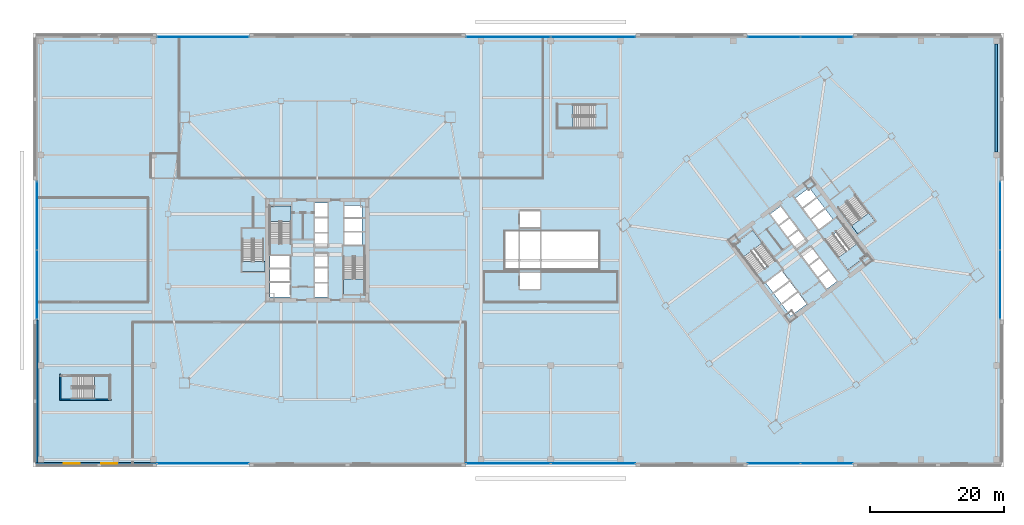
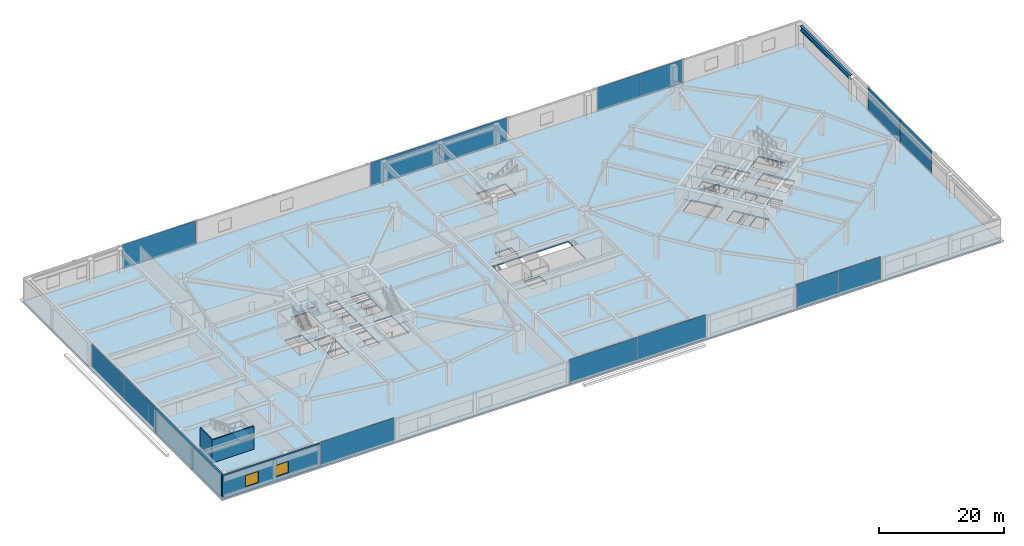
# One storey, part 29 of 44: 14 plates, 9 slabs, 4 walls, 2 windows, 1 beam, 2 openings, 16 elements without a shape of their own.
"""IFC4 building model written with IfcOpenShell, lengths in metres."""

from ifc_helpers import new_model, si_unit, direction, frame, frame_2d, origin, origin_2d, place, context, subcontext, project, spatial, polyline, rectangle, i_section, outline, extrude, material, layer, layer_set, material_profile, profile_set, type_object, element, fill, aggregate, save


model = new_model("IFC4")

# Units and contexts
model_context = context("Model", 3, precision=1e-05, world=origin(), true_north=direction((0.0, 1.0)))
body_context = subcontext(model_context, "Body", "Model", "MODEL_VIEW")
ifc_project = project(units=[si_unit("LENGTHUNIT", "METRE"), si_unit("AREAUNIT", "SQUARE_METRE"), si_unit("VOLUMEUNIT", "CUBIC_METRE"), si_unit("PLANEANGLEUNIT", "RADIAN"), si_unit("MASSUNIT", "GRAM", prefix="KILO")], contexts=[model_context])

# Site, building, storey
site_placement = place(None, origin())
site = spatial("IfcSite", under=ifc_project, at=site_placement, CompositionType="ELEMENT")
building_placement = place(site_placement, origin())
building = spatial("IfcBuilding", under=site, at=building_placement, Name="Tashvorn Skyway Center", CompositionType="ELEMENT")
storey_placement = place(building_placement, frame((0.0, 0.0, 5.39990234375)))
storey = spatial("IfcBuildingStorey", under=building, at=storey_placement, Name="L01", CompositionType="ELEMENT", Elevation=5.39990234375)

# Beam
ifc_material_1 = material(Name="Steel ASTM A913 Grade 65", Category="steel")
ifc_material_profile = material_profile(ifc_material_1, i_section(OverallWidth=0.4189453125, OverallDepth=0.927001953125, WebThickness=0.019287109375, FlangeThickness=0.031982421875, at=origin_2d()), Name="W36X231")
ifc_profile_set = profile_set([ifc_material_profile], Name="Steel ASTM A913 Grade 65")
beam_type = type_object("IfcBeamType", Name="BM-BEAM-W36X231", PredefinedType="BEAM", material=ifc_profile_set)
beam_placement = place(storey_placement, frame((143.199951171875, 46.64501953125, 4.07666015625), z_axis=(0.0, 1.0, 0.0), x_axis=(-1.0, 0.0, 0.0)))
element("IfcBeam", 1, at=beam_placement, inside=storey, type_object=beam_type, Name="L01 North-South Podium Girder 06-N", PredefinedType="BEAM", context=body_context, shape_type="SweptSolid", body=[
    extrude(i_section(OverallWidth=0.4189453125, OverallDepth=0.927001953125, WebThickness=0.019287109375, FlangeThickness=0.031982421875, at=origin_2d()), origin(), (0.0, 0.0, 1.0), 16.10986328125),
])

# Curtain wall, plates
ifc_material_2 = material(Name="Thermally broken bronze-anodized aluminium 6063-T6", Category="aluminium")
curtain_wall_type = type_object("IfcCurtainWallType", Name="CW-CW-Z1", PredefinedType="NOTDEFINED", material=ifc_material_2)
curtain_wall_1_placement = place(storey_placement, origin())
curtain_wall_1 = element("IfcCurtainWall", 2, at=curtain_wall_1_placement, inside=storey, type_object=curtain_wall_type, Name="L01 South Station Arcade Curtain Wall 1", PredefinedType="NOTDEFINED")
ifc_material_3 = material(Name="Low-E solar-control double insulating safety glass", Category="glass")
ifc_layer_1 = layer(ifc_material_3, 0.048095703125)
ifc_layer_set_1 = layer_set([ifc_layer_1], Name="Low-E solar-control double insulating safety glass")
plate_type = type_object("IfcPlateType", Name="CWP-CW-Z1", PredefinedType="CURTAIN_PANEL", material=ifc_layer_set_1)
plate_1_placement = place(storey_placement, frame((117.9287109375, 0.219970703125, 0.085205078125), z_axis=(0.0, 0.0, 1.0), x_axis=(-1.0, 0.0, 0.0)))
plate_1 = element("IfcPlate", 3, at=plate_1_placement, type_object=plate_type, Name="CW-Z1 panel 1.1", PredefinedType="CURTAIN_PANEL", context=body_context, shape_type="SweptSolid", body=[
    extrude(rectangle(XDim=7.7724609375, YDim=0.048095703125, at=origin_2d()), origin(), (0.0, 0.0, 1.0), 4.6298828125),
])
plate_2_placement = place(storey_placement, frame((110.0712890625, 0.219970703125, 0.085205078125), z_axis=(0.0, 0.0, 1.0), x_axis=(-1.0, 0.0, 0.0)))
plate_2 = element("IfcPlate", 4, at=plate_2_placement, type_object=plate_type, Name="CW-Z1 panel 2.1", PredefinedType="CURTAIN_PANEL", context=body_context, shape_type="SweptSolid", body=[
    extrude(rectangle(XDim=7.7724609375, YDim=0.048095703125, at=origin_2d()), origin(), (0.0, 0.0, 1.0), 4.6298828125),
])
aggregate(curtain_wall_1, [plate_1, plate_2])

curtain_wall_2_placement = place(storey_placement, origin())
curtain_wall_2 = element("IfcCurtainWall", 5, at=curtain_wall_2_placement, inside=storey, type_object=curtain_wall_type, Name="L01 South Station Arcade Curtain Wall 2", PredefinedType="NOTDEFINED")
plate_3_placement = place(storey_placement, frame((83.128662109375, 0.219970703125, 0.085205078125), z_axis=(0.0, 0.0, 1.0), x_axis=(-1.0, 0.0, 0.0)))
plate_3 = element("IfcPlate", 6, at=plate_3_placement, type_object=plate_type, Name="CW-Z1 panel 1.1", PredefinedType="CURTAIN_PANEL", context=body_context, shape_type="SweptSolid", body=[
    extrude(rectangle(XDim=12.572509765625, YDim=0.048095703125, at=origin_2d()), origin(), (0.0, 0.0, 1.0), 4.6298828125),
])
plate_4_placement = place(storey_placement, frame((70.47119140625, 0.219970703125, 0.085205078125), z_axis=(0.0, 0.0, 1.0), x_axis=(-1.0, 0.0, 0.0)))
plate_4 = element("IfcPlate", 7, at=plate_4_placement, type_object=plate_type, Name="CW-Z1 panel 2.1", PredefinedType="CURTAIN_PANEL", context=body_context, shape_type="SweptSolid", body=[
    extrude(rectangle(XDim=12.572509765625, YDim=0.048095703125, at=origin_2d()), origin(), (0.0, 0.0, 1.0), 4.6298828125),
])
aggregate(curtain_wall_2, [plate_3, plate_4])

# Curtain wall, plate
curtain_wall_3_placement = place(storey_placement, origin())
curtain_wall_3 = element("IfcCurtainWall", 8, at=curtain_wall_3_placement, inside=storey, type_object=curtain_wall_type, Name="L01 South Station Arcade Curtain Wall 3", PredefinedType="NOTDEFINED")
plate_5_placement = place(storey_placement, frame((25.0, 0.219970703125, 0.085205078125), z_axis=(0.0, 0.0, 1.0), x_axis=(-1.0, 0.0, 0.0)))
plate_5 = element("IfcPlate", 9, at=plate_5_placement, type_object=plate_type, Name="CW-Z1 panel 1.1", PredefinedType="CURTAIN_PANEL", context=body_context, shape_type="SweptSolid", body=[
    extrude(rectangle(XDim=13.6298828125, YDim=0.048095703125, at=origin_2d()), origin(), (0.0, 0.0, 1.0), 4.6298828125),
])
aggregate(curtain_wall_3, [plate_5])

curtain_wall_4_placement = place(storey_placement, origin())
curtain_wall_4 = element("IfcCurtainWall", 10, at=curtain_wall_4_placement, inside=storey, type_object=curtain_wall_type, Name="L01 North Station Arcade Curtain Wall 1", PredefinedType="NOTDEFINED")
plate_6_placement = place(storey_placement, frame((25.0, 63.780029296875, 0.085205078125), z_axis=(0.0, 0.0, 1.0), x_axis=(1.0, 0.0, 0.0)))
plate_6 = element("IfcPlate", 11, at=plate_6_placement, type_object=plate_type, Name="CW-Z1 panel 1.1", PredefinedType="CURTAIN_PANEL", context=body_context, shape_type="SweptSolid", body=[
    extrude(rectangle(XDim=13.6298828125, YDim=0.048095703125, at=origin_2d()), origin(), (0.0, 0.0, 1.0), 4.6298828125),
])
aggregate(curtain_wall_4, [plate_6])

# Curtain wall, plates
curtain_wall_5_placement = place(storey_placement, origin())
curtain_wall_5 = element("IfcCurtainWall", 12, at=curtain_wall_5_placement, inside=storey, type_object=curtain_wall_type, Name="L01 North Station Arcade Curtain Wall 2", PredefinedType="NOTDEFINED")
plate_7_placement = place(storey_placement, frame((70.47119140625, 63.780029296875, 0.085205078125), z_axis=(0.0, 0.0, 1.0), x_axis=(1.0, 0.0, 0.0)))
plate_7 = element("IfcPlate", 13, at=plate_7_placement, type_object=plate_type, Name="CW-Z1 panel 1.1", PredefinedType="CURTAIN_PANEL", context=body_context, shape_type="SweptSolid", body=[
    extrude(rectangle(XDim=12.572509765625, YDim=0.048095703125, at=origin_2d()), origin(), (0.0, 0.0, 1.0), 4.6298828125),
])
plate_8_placement = place(storey_placement, frame((83.128662109375, 63.780029296875, 0.085205078125), z_axis=(0.0, 0.0, 1.0), x_axis=(1.0, 0.0, 0.0)))
plate_8 = element("IfcPlate", 14, at=plate_8_placement, type_object=plate_type, Name="CW-Z1 panel 2.1", PredefinedType="CURTAIN_PANEL", context=body_context, shape_type="SweptSolid", body=[
    extrude(rectangle(XDim=12.572509765625, YDim=0.048095703125, at=origin_2d()), origin(), (0.0, 0.0, 1.0), 4.6298828125),
])
aggregate(curtain_wall_5, [plate_7, plate_8])

curtain_wall_6_placement = place(storey_placement, origin())
curtain_wall_6 = element("IfcCurtainWall", 15, at=curtain_wall_6_placement, inside=storey, type_object=curtain_wall_type, Name="L01 North Station Arcade Curtain Wall 3", PredefinedType="NOTDEFINED")
plate_9_placement = place(storey_placement, frame((110.0712890625, 63.780029296875, 0.085205078125), z_axis=(0.0, 0.0, 1.0), x_axis=(1.0, 0.0, 0.0)))
plate_9 = element("IfcPlate", 16, at=plate_9_placement, type_object=plate_type, Name="CW-Z1 panel 1.1", PredefinedType="CURTAIN_PANEL", context=body_context, shape_type="SweptSolid", body=[
    extrude(rectangle(XDim=7.7724609375, YDim=0.048095703125, at=origin_2d()), origin(), (0.0, 0.0, 1.0), 4.6298828125),
])
plate_10_placement = place(storey_placement, frame((117.9287109375, 63.780029296875, 0.085205078125), z_axis=(0.0, 0.0, 1.0), x_axis=(1.0, 0.0, 0.0)))
plate_10 = element("IfcPlate", 17, at=plate_10_placement, type_object=plate_type, Name="CW-Z1 panel 2.1", PredefinedType="CURTAIN_PANEL", context=body_context, shape_type="SweptSolid", body=[
    extrude(rectangle(XDim=7.7724609375, YDim=0.048095703125, at=origin_2d()), origin(), (0.0, 0.0, 1.0), 4.6298828125),
])
aggregate(curtain_wall_6, [plate_9, plate_10])

curtain_wall_7_placement = place(storey_placement, origin())
curtain_wall_7 = element("IfcCurtainWall", 18, at=curtain_wall_7_placement, inside=storey, type_object=curtain_wall_type, Name="L01 West Station Hall Portal Curtain Wall", PredefinedType="NOTDEFINED")
plate_11_placement = place(storey_placement, frame((0.219970703125, 26.871337890625, 0.085205078125), z_axis=(0.0, 0.0, 1.0), x_axis=(0.0, 1.0, 0.0)))
plate_11 = element("IfcPlate", 19, at=plate_11_placement, type_object=plate_type, Name="CW-Z1 panel 1.1", PredefinedType="CURTAIN_PANEL", context=body_context, shape_type="SweptSolid", body=[
    extrude(rectangle(XDim=10.172607421875, YDim=0.048095703125, at=origin_2d()), origin(), (0.0, 0.0, 1.0), 4.6298828125),
])
plate_12_placement = place(storey_placement, frame((0.219970703125, 37.128662109375, 0.085205078125), z_axis=(0.0, 0.0, 1.0), x_axis=(0.0, 1.0, 0.0)))
plate_12 = element("IfcPlate", 20, at=plate_12_placement, type_object=plate_type, Name="CW-Z1 panel 2.1", PredefinedType="CURTAIN_PANEL", context=body_context, shape_type="SweptSolid", body=[
    extrude(rectangle(XDim=10.172607421875, YDim=0.048095703125, at=origin_2d()), origin(), (0.0, 0.0, 1.0), 4.6298828125),
])
aggregate(curtain_wall_7, [plate_11, plate_12])

curtain_wall_8_placement = place(storey_placement, origin())
curtain_wall_8 = element("IfcCurtainWall", 21, at=curtain_wall_8_placement, inside=storey, type_object=curtain_wall_type, Name="L01 East Station Concourse Curtain Wall", PredefinedType="NOTDEFINED")
plate_13_placement = place(storey_placement, frame((143.780029296875, 37.128662109375, 0.085205078125), z_axis=(0.0, 0.0, 1.0), x_axis=(0.0, -1.0, 0.0)))
plate_13 = element("IfcPlate", 22, at=plate_13_placement, type_object=plate_type, Name="CW-Z1 panel 1.1", PredefinedType="CURTAIN_PANEL", context=body_context, shape_type="SweptSolid", body=[
    extrude(rectangle(XDim=10.172607421875, YDim=0.048095703125, at=origin_2d()), origin(), (0.0, 0.0, 1.0), 4.6298828125),
])
plate_14_placement = place(storey_placement, frame((143.780029296875, 26.871337890625, 0.085205078125), z_axis=(0.0, 0.0, 1.0), x_axis=(0.0, -1.0, 0.0)))
plate_14 = element("IfcPlate", 23, at=plate_14_placement, type_object=plate_type, Name="CW-Z1 panel 2.1", PredefinedType="CURTAIN_PANEL", context=body_context, shape_type="SweptSolid", body=[
    extrude(rectangle(XDim=10.172607421875, YDim=0.048095703125, at=origin_2d()), origin(), (0.0, 0.0, 1.0), 4.6298828125),
])
aggregate(curtain_wall_8, [plate_13, plate_14])

# Slab
ifc_material_4 = material(Name="Concrete C40/50", Category="concrete")
ifc_layer_2 = layer(ifc_material_4, 0.260009765625)
ifc_layer_set_2 = layer_set([ifc_layer_2], Name="Concrete C40/50")
slab_type_1 = type_object("IfcSlabType", Name="SLAB-FLR-260", PredefinedType="FLOOR", material=ifc_layer_set_2)
slab_1_placement = place(storey_placement, frame((0.0, 0.0, -0.260009765625)))
element("IfcSlab", 24, at=slab_1_placement, inside=storey, type_object=slab_type_1, Name="L01 Podium Composite Structural Floor Slab", PredefinedType="FLOOR", context=body_context, shape_type="SweptSolid", body=[
    extrude(outline(polyline([(0.0, 0.0), (144.0, 0.0), (144.0, 64.0), (0.0, 64.0), (0.0, 0.0)]), holes=[polyline([(38.10009765625, 33.080078125), (38.10009765625, 38.60009765625), (34.89990234375, 38.60009765625), (34.89990234375, 33.080078125), (38.10009765625, 33.080078125)]), polyline([(45.89990234375, 30.919921875), (45.89990234375, 25.39990234375), (49.10009765625, 25.39990234375), (49.10009765625, 30.919921875), (45.89990234375, 30.919921875)]), polyline([(110.23193359375, 30.52392578125), (106.919921875, 34.93994140625), (104.135986328125, 32.85205078125), (107.447998046875, 28.43603515625), (110.23193359375, 30.52392578125)]), polyline([(117.76806640625, 33.47607421875), (121.080078125, 29.06005859375), (123.864013671875, 31.14794921875), (120.552001953125, 35.56396484375), (117.76806640625, 33.47607421875)]), polyline([(30.800048828125, 33.52001953125), (30.800048828125, 28.800048828125), (34.0, 28.800048828125), (34.0, 33.52001953125), (30.800048828125, 33.52001953125)]), polyline([(119.7119140625, 38.18408203125), (122.5439453125, 34.407958984375), (125.10400390625, 36.327880859375), (122.27197265625, 40.10400390625), (119.7119140625, 38.18408203125)]), polyline([(5.610107421875, 9.800048828125), (11.10009765625, 9.800048828125), (11.10009765625, 13.300048828125), (5.610107421875, 13.300048828125), (5.610107421875, 9.800048828125)]), polyline([(83.2900390625, 53.699951171875), (77.800048828125, 53.699951171875), (77.800048828125, 50.199951171875), (83.2900390625, 50.199951171875), (83.2900390625, 53.699951171875)]), polyline([(34.949951171875, 29.35009765625), (37.949951171875, 29.35009765625), (37.949951171875, 31.199951171875), (34.949951171875, 31.199951171875), (34.949951171875, 29.35009765625)]), polyline([(34.949951171875, 27.35009765625), (37.949951171875, 27.35009765625), (37.949951171875, 29.199951171875), (34.949951171875, 29.199951171875), (34.949951171875, 27.35009765625)]), polyline([(34.949951171875, 25.0), (37.949951171875, 25.0), (37.949951171875, 27.14990234375), (34.949951171875, 27.14990234375), (34.949951171875, 25.0)]), polyline([(41.64990234375, 25.0), (43.550048828125, 25.0), (43.550048828125, 27.050048828125), (41.64990234375, 27.050048828125), (41.64990234375, 25.0)]), polyline([(41.64990234375, 27.25), (43.550048828125, 27.25), (43.550048828125, 29.300048828125), (41.64990234375, 29.300048828125), (41.64990234375, 27.25)]), polyline([(41.64990234375, 29.5), (43.550048828125, 29.5), (43.550048828125, 31.550048828125), (41.64990234375, 31.550048828125), (41.64990234375, 29.5)]), polyline([(41.64990234375, 32.449951171875), (43.550048828125, 32.449951171875), (43.550048828125, 34.5), (41.64990234375, 34.5), (41.64990234375, 32.449951171875)]), polyline([(41.64990234375, 34.699951171875), (43.550048828125, 34.699951171875), (43.550048828125, 36.75), (41.64990234375, 36.75), (41.64990234375, 34.699951171875)]), polyline([(41.64990234375, 36.949951171875), (43.550048828125, 36.949951171875), (43.550048828125, 39.0), (41.64990234375, 39.0), (41.64990234375, 36.949951171875)]), polyline([(46.050048828125, 32.800048828125), (48.64990234375, 32.800048828125), (48.64990234375, 34.64990234375), (46.050048828125, 34.64990234375), (46.050048828125, 32.800048828125)]), polyline([(46.050048828125, 34.85009765625), (48.64990234375, 34.85009765625), (48.64990234375, 36.699951171875), (46.050048828125, 36.699951171875), (46.050048828125, 34.85009765625)]), polyline([(46.050048828125, 36.89990234375), (48.64990234375, 36.89990234375), (48.64990234375, 38.64990234375), (46.050048828125, 38.64990234375), (46.050048828125, 36.89990234375)]), polyline([(109.949951171875, 25.64990234375), (112.35009765625, 27.449951171875), (111.239990234375, 28.929931640625), (108.840087890625, 27.1298828125), (109.949951171875, 25.64990234375)]), polyline([(111.14990234375, 24.050048828125), (113.550048828125, 25.85009765625), (112.43994140625, 27.330078125), (110.0400390625, 25.530029296875), (111.14990234375, 24.050048828125)]), polyline([(112.56005859375, 22.169921875), (114.9599609375, 23.969970703125), (113.669921875, 25.68994140625), (111.27001953125, 23.889892578125), (112.56005859375, 22.169921875)]), polyline([(117.919921875, 26.18994140625), (119.43994140625, 27.330078125), (118.2099609375, 28.969970703125), (116.68994140625, 27.830078125), (117.919921875, 26.18994140625)]), polyline([(116.570068359375, 27.989990234375), (118.090087890625, 29.1298828125), (116.860107421875, 30.77001953125), (115.340087890625, 29.6298828125), (116.570068359375, 27.989990234375)]), polyline([(115.219970703125, 29.7900390625), (116.739990234375, 30.929931640625), (115.510009765625, 32.570068359375), (113.989990234375, 31.429931640625), (115.219970703125, 29.7900390625)]), polyline([(113.449951171875, 32.14990234375), (114.969970703125, 33.2900390625), (113.739990234375, 34.929931640625), (112.219970703125, 33.7900390625), (113.449951171875, 32.14990234375)]), polyline([(112.10009765625, 33.949951171875), (113.6201171875, 35.090087890625), (112.389892578125, 36.72998046875), (110.8701171875, 35.590087890625), (112.10009765625, 33.949951171875)]), polyline([(110.75, 35.75), (112.27001953125, 36.889892578125), (111.0400390625, 38.530029296875), (109.52001953125, 37.389892578125), (110.75, 35.75)]), polyline([(116.760009765625, 35.070068359375), (118.840087890625, 36.6298828125), (117.72998046875, 38.110107421875), (115.64990234375, 36.550048828125), (116.760009765625, 35.070068359375)]), polyline([(115.530029296875, 36.7099609375), (117.610107421875, 38.27001953125), (116.5, 39.75), (114.419921875, 38.18994140625), (115.530029296875, 36.7099609375)]), polyline([(114.300048828125, 38.35009765625), (116.3798828125, 39.909912109375), (115.330078125, 41.31005859375), (113.25, 39.75), (114.300048828125, 38.35009765625)]), polyline([(72.199951171875, 26.199951171875), (75.199951171875, 26.199951171875), (75.199951171875, 28.60009765625), (72.199951171875, 28.60009765625), (72.199951171875, 26.199951171875)]), polyline([(72.199951171875, 35.39990234375), (75.199951171875, 35.39990234375), (75.199951171875, 37.800048828125), (72.199951171875, 37.800048828125), (72.199951171875, 35.39990234375)]), polyline([(70.0, 29.199951171875), (84.0, 29.199951171875), (84.0, 34.800048828125), (70.0, 34.800048828125), (70.0, 29.199951171875)])]), origin(), (0.0, 0.0, 1.0), 0.260009765625),
])

# Stair, slab
stair_type_1 = type_object("IfcStairType", Name="STAIR-CORE-1500", PredefinedType="HALF_TURN_STAIR", material=ifc_material_4)
stair_1_placement = place(storey_placement, origin())
stair_1 = element("IfcStair", 25, at=stair_1_placement, inside=storey, type_object=stair_type_1, Name="L01 Tower 1 Exit Stair 1", PredefinedType="HALF_TURN_STAIR")
ifc_layer_3 = layer(ifc_material_4, 0.199951171875)
ifc_layer_set_3 = layer_set([ifc_layer_3], Name="Concrete C40/50")
slab_type_2 = type_object("IfcSlabType", Name="SLAB-LAND-200", PredefinedType="LANDING", material=ifc_layer_set_3)
slab_2_placement = place(storey_placement, frame((0.0, 0.0, 2.2001953125)))
slab_2 = element("IfcSlab", 26, at=slab_2_placement, type_object=slab_type_2, Name="ST-T1-1 landing 1", PredefinedType="LANDING", context=body_context, shape_type="SweptSolid", body=[
    extrude(outline(polyline([(38.10009765625, 36.280029296875), (38.10009765625, 38.60009765625), (34.89990234375, 38.60009765625), (34.89990234375, 36.280029296875), (38.10009765625, 36.280029296875)])), origin(), (0.0, 0.0, 1.0), 0.199951171875),
])
aggregate(stair_1, [slab_2])

stair_2_placement = place(storey_placement, origin())
stair_2 = element("IfcStair", 27, at=stair_2_placement, inside=storey, type_object=stair_type_1, Name="L01 Tower 1 Exit Stair 2", PredefinedType="HALF_TURN_STAIR")
slab_3_placement = place(storey_placement, frame((0.0, 0.0, 2.2001953125)))
slab_3 = element("IfcSlab", 28, at=slab_3_placement, type_object=slab_type_2, Name="ST-T1-2 landing 1", PredefinedType="LANDING", context=body_context, shape_type="SweptSolid", body=[
    extrude(outline(polyline([(45.89990234375, 27.719970703125), (45.89990234375, 25.39990234375), (49.10009765625, 25.39990234375), (49.10009765625, 27.719970703125), (45.89990234375, 27.719970703125)])), origin(), (0.0, 0.0, 1.0), 0.199951171875),
])
aggregate(stair_2, [slab_3])

stair_3_placement = place(storey_placement, origin())
stair_3 = element("IfcStair", 29, at=stair_3_placement, inside=storey, type_object=stair_type_1, Name="L01 Tower 2 Exit Stair 1", PredefinedType="HALF_TURN_STAIR")
slab_4_placement = place(storey_placement, frame((0.0, 0.0, 2.2001953125)))
slab_4 = element("IfcSlab", 30, at=slab_4_placement, type_object=slab_type_2, Name="ST-T2-1 landing 1", PredefinedType="LANDING", context=body_context, shape_type="SweptSolid", body=[
    extrude(outline(polyline([(108.31689453125, 33.07763671875), (106.919921875, 34.93994140625), (104.135986328125, 32.85205078125), (105.53271484375, 30.989501953125), (108.31689453125, 33.07763671875)])), origin(), (0.0, 0.0, 1.0), 0.199951171875),
])
aggregate(stair_3, [slab_4])

stair_4_placement = place(storey_placement, origin())
stair_4 = element("IfcStair", 31, at=stair_4_placement, inside=storey, type_object=stair_type_1, Name="L01 Tower 2 Exit Stair 2", PredefinedType="HALF_TURN_STAIR")
slab_5_placement = place(storey_placement, frame((0.0, 0.0, 2.2001953125)))
slab_5 = element("IfcSlab", 32, at=slab_5_placement, type_object=slab_type_2, Name="ST-T2-2 landing 1", PredefinedType="LANDING", context=body_context, shape_type="SweptSolid", body=[
    extrude(outline(polyline([(119.68310546875, 30.92236328125), (121.080078125, 29.06005859375), (123.864013671875, 31.14794921875), (122.46728515625, 33.010498046875), (119.68310546875, 30.92236328125)])), origin(), (0.0, 0.0, 1.0), 0.199951171875),
])
aggregate(stair_4, [slab_5])

stair_5_placement = place(storey_placement, origin())
stair_5 = element("IfcStair", 33, at=stair_5_placement, inside=storey, type_object=stair_type_1, Name="L01 Tower 1 Exit Stair 3", PredefinedType="HALF_TURN_STAIR")
slab_6_placement = place(storey_placement, frame((0.0, 0.0, 2.2001953125)))
slab_6 = element("IfcSlab", 34, at=slab_6_placement, type_object=slab_type_2, Name="ST-T1-3 landing 1", PredefinedType="LANDING", context=body_context, shape_type="SweptSolid", body=[
    extrude(outline(polyline([(30.800048828125, 30.320068359375), (30.800048828125, 28.800048828125), (34.199951171875, 28.800048828125), (34.199951171875, 30.320068359375), (30.800048828125, 30.320068359375)])), origin(), (0.0, 0.0, 1.0), 0.199951171875),
])
aggregate(stair_5, [slab_6])

stair_6_placement = place(storey_placement, origin())
stair_6 = element("IfcStair", 35, at=stair_6_placement, inside=storey, type_object=stair_type_1, Name="L01 Tower 2 Exit Stair 3", PredefinedType="HALF_TURN_STAIR")
slab_7_placement = place(storey_placement, frame((0.0, 0.0, 2.2001953125)))
slab_7 = element("IfcSlab", 36, at=slab_7_placement, type_object=slab_type_2, Name="ST-T2-3 landing 1", PredefinedType="LANDING", context=body_context, shape_type="SweptSolid", body=[
    extrude(outline(polyline([(121.627197265625, 35.63037109375), (122.5439453125, 34.407958984375), (125.10400390625, 36.327880859375), (124.187255859375, 37.55029296875), (121.627197265625, 35.63037109375)])), origin(), (0.0, 0.0, 1.0), 0.199951171875),
])
aggregate(stair_6, [slab_7])

stair_type_2 = type_object("IfcStairType", Name="STAIR-POD-1650", PredefinedType="HALF_TURN_STAIR", material=ifc_material_4)
stair_7_placement = place(storey_placement, origin())
stair_7 = element("IfcStair", 37, at=stair_7_placement, inside=storey, type_object=stair_type_2, Name="L01 Podium West Exit Stair 1", PredefinedType="HALF_TURN_STAIR")
slab_8_placement = place(storey_placement, frame((0.0, 0.0, 2.2001953125)))
slab_8 = element("IfcSlab", 38, at=slab_8_placement, type_object=slab_type_2, Name="ST-POD-1 landing 1", PredefinedType="LANDING", context=body_context, shape_type="SweptSolid", body=[
    extrude(outline(polyline([(8.81005859375, 9.800048828125), (11.10009765625, 9.800048828125), (11.10009765625, 13.300048828125), (8.81005859375, 13.300048828125), (8.81005859375, 9.800048828125)])), origin(), (0.0, 0.0, 1.0), 0.199951171875),
])
aggregate(stair_7, [slab_8])

stair_8_placement = place(storey_placement, origin())
stair_8 = element("IfcStair", 39, at=stair_8_placement, inside=storey, type_object=stair_type_2, Name="L01 Podium East Exit Stair 2", PredefinedType="HALF_TURN_STAIR")
slab_9_placement = place(storey_placement, frame((0.0, 0.0, 2.2001953125)))
slab_9 = element("IfcSlab", 40, at=slab_9_placement, type_object=slab_type_2, Name="ST-POD-2 landing 1", PredefinedType="LANDING", context=body_context, shape_type="SweptSolid", body=[
    extrude(outline(polyline([(80.090087890625, 53.699951171875), (77.800048828125, 53.699951171875), (77.800048828125, 50.199951171875), (80.090087890625, 50.199951171875), (80.090087890625, 53.699951171875)])), origin(), (0.0, 0.0, 1.0), 0.199951171875),
])
aggregate(stair_8, [slab_9])

# Wall, openings, windows
ifc_material_5 = material(Name="Precast concrete C40/50", Category="concrete")
ifc_layer_4 = layer(ifc_material_5, 0.35009765625)
ifc_layer_set_4 = layer_set([ifc_layer_4], Name="Precast concrete C40/50")
wall_type_1 = type_object("IfcWallType", Name="WALL-EXT-350", PredefinedType="SOLIDWALL", material=ifc_layer_set_4)
wall_1_placement = place(storey_placement, frame((18.0, 0.175048828125, 0.0), z_axis=(0.0, 0.0, 1.0), x_axis=(-1.0, 0.0, 0.0)))
wall_1 = element("IfcWall", 41, at=wall_1_placement, inside=storey, type_object=wall_type_1, Name="L01 South Postmodern Pier Wall W1", PredefinedType="SOLIDWALL", context=body_context, shape_type="SweptSolid", body=[
    extrude(rectangle(XDim=18.0, YDim=0.35009765625, at=frame_2d((9.0, 0.0))), origin(), (0.0, 0.0, 1.0), 4.5400390625),
])
opening_1_placement = place(wall_1_placement, frame((11.39990234375, 0.0, 0.949951171875)))
opening_1 = element("IfcOpeningElement", 42, at=opening_1_placement, cuts=wall_1, Name="Opening WIN-2400", PredefinedType="OPENING", context=body_context, shape_type="SweptSolid", body=[
    extrude(rectangle(XDim=2.39990234375, YDim=2.199951171875, at=frame_2d((1.199951171875, 1.10009765625))), frame((0.0, 0.18505859375, 0.0), z_axis=(0.0, -1.0, 0.0), x_axis=(1.0, 0.0, 0.0)), (0.0, 0.0, 1.0), 0.3701171875),
])
opening_2_placement = place(wall_1_placement, frame((5.800048828125, 0.0, 0.949951171875)))
opening_2 = element("IfcOpeningElement", 43, at=opening_2_placement, cuts=wall_1, Name="Opening WIN-2400", PredefinedType="OPENING", context=body_context, shape_type="SweptSolid", body=[
    extrude(rectangle(XDim=2.39990234375, YDim=2.199951171875, at=frame_2d((1.199951171875, 1.10009765625))), frame((0.0, 0.18505859375, 0.0), z_axis=(0.0, -1.0, 0.0), x_axis=(1.0, 0.0, 0.0)), (0.0, 0.0, 1.0), 0.3701171875),
])
window_type = type_object("IfcWindowType", Name="WIN-POD-2400", PartitioningType="SINGLE_PANEL", PredefinedType="WINDOW", material=ifc_material_3)
window_1_placement = place(opening_1_placement, origin())
window_1 = element("IfcWindow", 44, at=window_1_placement, inside=storey, type_object=window_type, Name="L01 South Station Pier Window 01", OverallHeight=2.199951171875, OverallWidth=2.39990234375, PartitioningType="SINGLE_PANEL", PredefinedType="WINDOW", context=body_context, shape_type="SweptSolid", body=[
    extrude(rectangle(XDim=2.39990234375, YDim=2.199951171875, at=frame_2d((1.199951171875, 1.10009765625))), frame((0.0, 0.030029296875, 0.0), z_axis=(0.0, -1.0, 0.0), x_axis=(1.0, 0.0, 0.0)), (0.0, 0.0, 1.0), 0.06005859375),
])
fill(opening_1, window_1)
window_2_placement = place(opening_2_placement, origin())
window_2 = element("IfcWindow", 45, at=window_2_placement, inside=storey, type_object=window_type, Name="L01 South Station Pier Window 02", OverallHeight=2.199951171875, OverallWidth=2.39990234375, PartitioningType="SINGLE_PANEL", PredefinedType="WINDOW", context=body_context, shape_type="SweptSolid", body=[
    extrude(rectangle(XDim=2.39990234375, YDim=2.199951171875, at=frame_2d((1.199951171875, 1.10009765625))), frame((0.0, 0.030029296875, 0.0), z_axis=(0.0, -1.0, 0.0), x_axis=(1.0, 0.0, 0.0)), (0.0, 0.0, 1.0), 0.06005859375),
])
fill(opening_2, window_2)

# Walls
wall_2_placement = place(storey_placement, frame((0.175048828125, 0.35009765625, 0.0), z_axis=(0.0, 0.0, 1.0), x_axis=(0.0, 1.0, 0.0)))
element("IfcWall", 46, at=wall_2_placement, inside=storey, type_object=wall_type_1, Name="L01 West-South Postmodern Facade Wall", PredefinedType="SOLIDWALL", context=body_context, shape_type="SweptSolid", body=[
    extrude(rectangle(XDim=21.25, YDim=0.35009765625, at=frame_2d((10.625, 0.0))), origin(), (0.0, 0.0, 1.0), 4.5400390625),
])
ifc_layer_5 = layer(ifc_material_4, 0.199951171875)
ifc_layer_set_5 = layer_set([ifc_layer_5], Name="Concrete C40/50")
wall_type_2 = type_object("IfcWallType", Name="WALL-STSHF-200", PredefinedType="SHEAR", material=ifc_layer_set_5)
wall_3_placement = place(storey_placement, frame((3.60009765625, 9.699951171875, 0.0), z_axis=(0.0, 0.0, 1.0), x_axis=(1.0, 0.0, 0.0)))
element("IfcWall", 47, at=wall_3_placement, inside=storey, type_object=wall_type_2, Name="L01 Podium Stair 1 South Wall", PredefinedType="SHEAR", context=body_context, shape_type="SweptSolid", body=[
    extrude(rectangle(XDim=7.699951171875, YDim=0.199951171875, at=frame_2d((3.85009765625, 0.0))), origin(), (0.0, 0.0, 1.0), 4.5400390625),
])
wall_4_placement = place(storey_placement, frame((3.699951171875, 9.60009765625, 0.0), z_axis=(0.0, 0.0, 1.0), x_axis=(0.0, 1.0, 0.0)))
element("IfcWall", 48, at=wall_4_placement, inside=storey, type_object=wall_type_2, Name="L01 Podium Stair 1 West Wall", PredefinedType="SHEAR", context=body_context, shape_type="SweptSolid", body=[
    extrude(rectangle(XDim=3.89990234375, YDim=0.199951171875, at=frame_2d((1.949951171875, 0.0))), origin(), (0.0, 0.0, 1.0), 4.5400390625),
])

save(model, "model.ifc")
